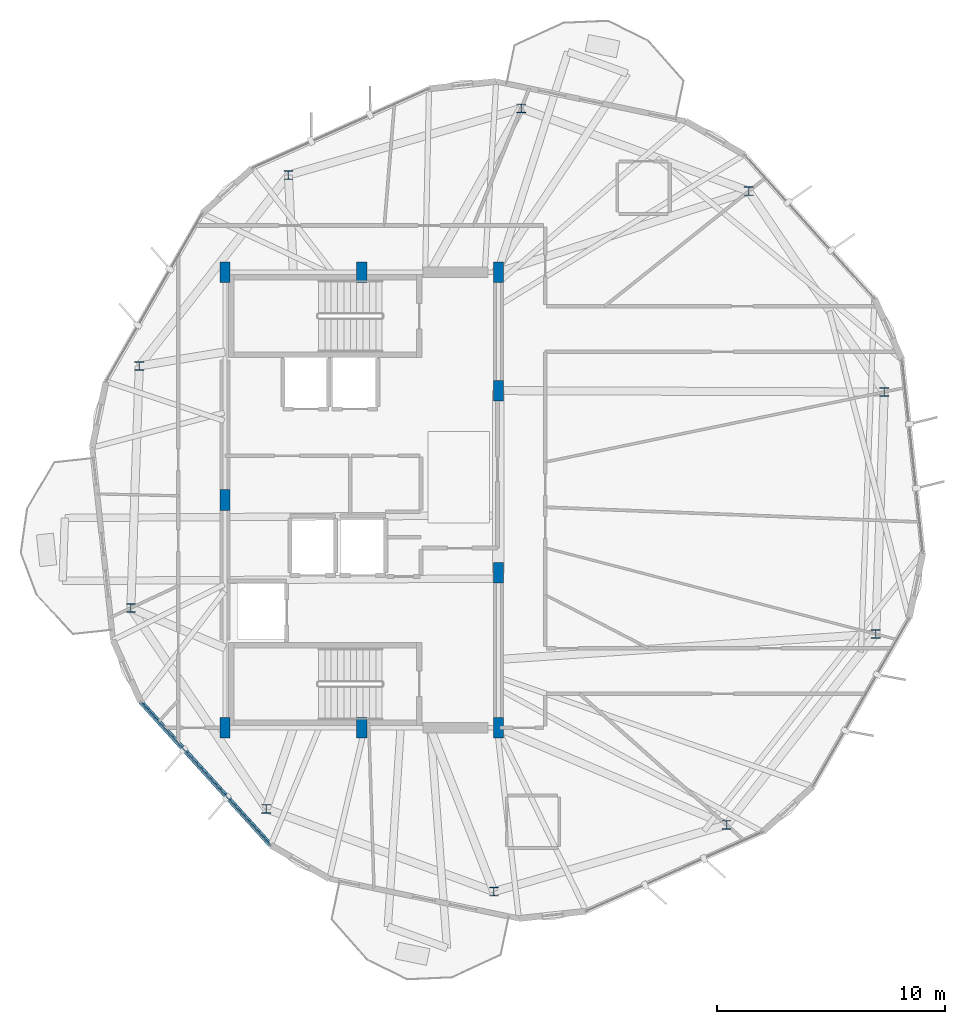
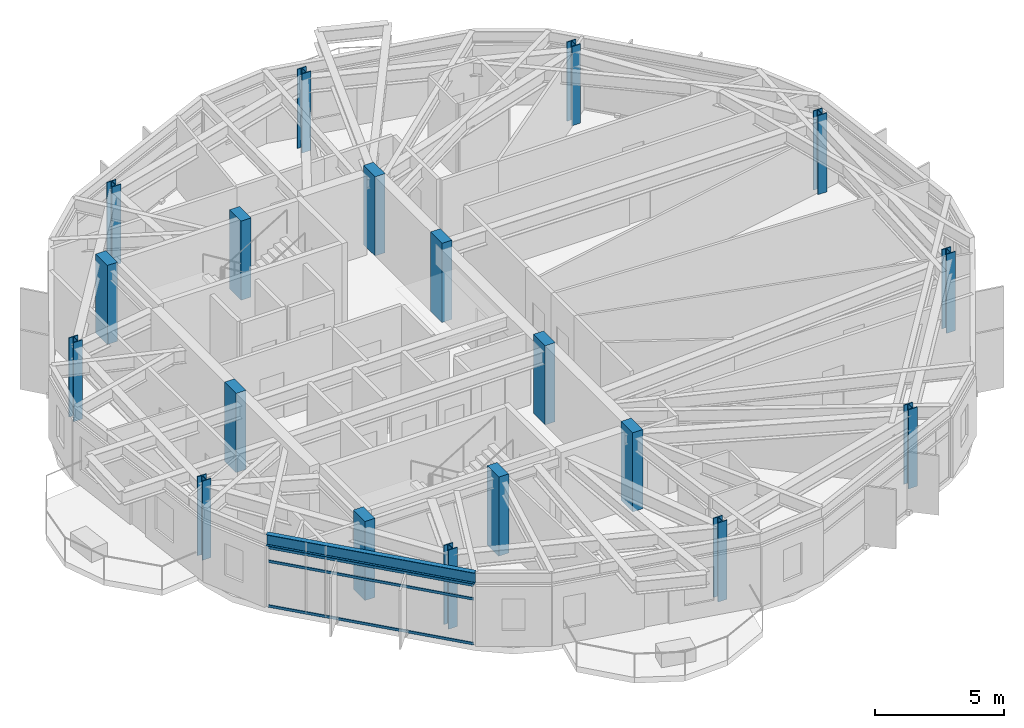
# One storey, part 1 of 23: 19 columns, 3 members, 1 beam, 1 element without a shape of its own.
"""IFC4 building model written with IfcOpenShell, lengths in metres."""

from ifc_helpers import new_model, si_unit, direction, frame, origin, origin_2d, place, context, subcontext, project, spatial, rectangle, hollow_rectangle, i_section, extrude, material, layer, layer_set, material_profile, profile_set, type_object, element, aggregate, save


model = new_model("IFC4")

# Units and contexts
model_context = context("Model", 3, precision=1e-05, world=origin(), true_north=direction((0.0, 1.0)))
body_context = subcontext(model_context, "Body", "Model", "MODEL_VIEW")
ifc_project = project(units=[si_unit("LENGTHUNIT", "METRE"), si_unit("AREAUNIT", "SQUARE_METRE"), si_unit("VOLUMEUNIT", "CUBIC_METRE"), si_unit("PLANEANGLEUNIT", "RADIAN"), si_unit("MASSUNIT", "GRAM", prefix="KILO")], contexts=[model_context])

# Site, building, storey
site_placement = place(None, origin())
site = spatial("IfcSite", under=ifc_project, at=site_placement, CompositionType="ELEMENT")
building_placement = place(site_placement, origin())
building = spatial("IfcBuilding", under=site, at=building_placement, Name="Soratama Intermodal Tower", CompositionType="ELEMENT")
storey_placement = place(building_placement, frame((0.0, 0.0, 253.75)))
storey = spatial("IfcBuildingStorey", under=building, at=storey_placement, Name="L64", CompositionType="ELEMENT", Elevation=253.75)

# Columns
ifc_material_1 = material(Name="Structural steel ASTM A992 Grade 50", Category="steel")
ifc_material_profile_1 = material_profile(ifc_material_1, i_section(OverallWidth=0.40087890625, OverallDepth=0.39892578125, WebThickness=0.02490234375, FlangeThickness=0.03955078125, FilletRadius=0.0380859375, at=origin_2d()), Name="W14X211")
ifc_profile_set_1 = profile_set([ifc_material_profile_1], Name="Structural steel ASTM A992 Grade 50")
column_type_1 = type_object("IfcColumnType", Name="COL-ZE-W14X211", PredefinedType="COLUMN", material=ifc_profile_set_1)
for number, where, z_axis, x_axis, name in (
    (1, (61.53369140625, 29.740966796875, 0.0), (0.0, 0.0, 1.0), (1.0, 0.0, 0.0), "L64 Tower Ring Column R01"),
    (2, (55.58935546875, 38.5537109375, 0.0), (0.0, 0.0, 1.0), (1.0, 0.0, 0.0), "L64 Tower Ring Column R02"),
    (3, (45.600341796875, 42.189453125, 0.0), (0.0, 0.0, 1.0), (1.0, 0.0, 0.0), "L64 Tower Ring Column R03"),
    (4, (35.3818359375, 39.259521484375, 0.0), (0.0, 0.0, 1.0), (1.0, 0.0, 0.0), "L64 Tower Ring Column R04"),
    (5, (28.83740234375, 30.8828125, 0.0), (0.0, 0.0, 1.0), (1.0, 0.0, 0.0), "L64 Tower Ring Column R05"),
    (6, (28.46630859375, 20.259033203125, 0.0), (0.0, 0.0, 1.0), (1.0, 0.0, 0.0), "L64 Tower Ring Column R06"),
    (7, (34.41064453125, 11.4462890625, 0.0), (0.0, 0.0, 1.0), (1.0, 0.0, 0.0), "L64 Tower Ring Column R07"),
    (8, (44.399658203125, 7.810546875, 0.0), (0.0, 0.0, 1.0), (1.0, 0.0, 0.0), "L64 Tower Ring Column R08"),
    (9, (54.6181640625, 10.740478515625, 0.0), (0.0, 0.0, 1.0), (1.0, 0.0, 0.0), "L64 Tower Ring Column R09"),
    (10, (61.16259765625, 19.1171875, 0.0), (0.0, 0.0, 1.0), (1.0, 0.0, 0.0), "L64 Tower Ring Column R10"),
):
    element("IfcColumn", number, at=place(storey_placement, frame(where, z_axis=z_axis, x_axis=x_axis)), inside=storey, type_object=column_type_1, Name=name, PredefinedType="COLUMN", context=body_context, shape_type="SweptSolid", body=[
        extrude(i_section(OverallWidth=0.40087890625, OverallDepth=0.39892578125, WebThickness=0.02490234375, FlangeThickness=0.03955078125, FilletRadius=0.0380859375, at=origin_2d()), origin(), (0.0, 0.0, 1.0), 3.75),
    ])
ifc_material_2 = material(Name="Concrete f'c 56 MPa", Category="concrete")
ifc_material_profile_2 = material_profile(ifc_material_2, rectangle(XDim=0.449951171875, YDim=0.89990234375, at=origin_2d()), Name="RC450X900")
ifc_profile_set_2 = profile_set([ifc_material_profile_2], Name="Concrete f'c 56 MPa")
column_type_2 = type_object("IfcColumnType", Name="PIL-CORE-450X900", PredefinedType="PILASTER", material=ifc_profile_set_2)
for number, where, z_axis, x_axis, name in (
    (11, (32.60009765625, 15.0, 0.0), (0.0, 0.0, 1.0), (1.0, 0.0, 0.0), "L64 Core Pilaster 1"),
    (12, (32.60009765625, 25.0, 0.0), (0.0, 0.0, 1.0), (1.0, 0.0, 0.0), "L64 Core Pilaster 2"),
    (13, (32.60009765625, 35.0, 0.0), (0.0, 0.0, 1.0), (1.0, 0.0, 0.0), "L64 Core Pilaster 3"),
    (14, (38.60009765625, 15.0, 0.0), (0.0, 0.0, 1.0), (1.0, 0.0, 0.0), "L64 Core Pilaster 4"),
    (15, (38.60009765625, 35.0, 0.0), (0.0, 0.0, 1.0), (1.0, 0.0, 0.0), "L64 Core Pilaster 5"),
    (16, (44.60009765625, 15.0, 0.0), (0.0, 0.0, 1.0), (1.0, 0.0, 0.0), "L64 Core Pilaster 6"),
    (17, (44.60009765625, 21.800048828125, 0.0), (0.0, 0.0, 1.0), (1.0, 0.0, 0.0), "L64 Core Pilaster 7"),
    (18, (44.60009765625, 29.800048828125, 0.0), (0.0, 0.0, 1.0), (1.0, 0.0, 0.0), "L64 Core Pilaster 8"),
    (19, (44.60009765625, 35.0, 0.0), (0.0, 0.0, 1.0), (1.0, 0.0, 0.0), "L64 Core Pilaster 9"),
):
    element("IfcColumn", number, at=place(storey_placement, frame(where, z_axis=z_axis, x_axis=x_axis)), inside=storey, type_object=column_type_2, Name=name, PredefinedType="PILASTER", context=body_context, shape_type="SweptSolid", body=[
        extrude(rectangle(XDim=0.449951171875, YDim=0.89990234375, at=origin_2d()), origin(), (0.0, 0.0, 1.0), 3.75),
    ])

# Beam
ifc_material_3 = material(Name="Structural steel ASTM A992 Grade 50", Category="steel")
ifc_material_profile_3 = material_profile(ifc_material_3, i_section(OverallWidth=0.2099609375, OverallDepth=0.537109375, WebThickness=0.010986328125, FlangeThickness=0.017333984375, FilletRadius=0.012939453125, at=origin_2d()), Name="W21X68")
ifc_profile_set_3 = profile_set([ifc_material_profile_3], Name="Structural steel ASTM A992 Grade 50")
beam_type = type_object("IfcBeamType", Name="BM-SPN-W21X68", PredefinedType="SPANDREL", material=ifc_profile_set_3)
beam_placement = place(storey_placement, frame((28.89697265625, 16.14404296875, 3.181396484375), z_axis=(0.671422331557, -0.741074930548, 0.0), x_axis=(0.741074930548, 0.671422331557, 0.0)))
element("IfcBeam", 20, at=beam_placement, inside=storey, type_object=beam_type, Name="BS-L64-F05", PredefinedType="SPANDREL", context=body_context, shape_type="SweptSolid", body=[
    extrude(i_section(OverallWidth=0.2099609375, OverallDepth=0.537109375, WebThickness=0.010986328125, FlangeThickness=0.017333984375, FilletRadius=0.012939453125, at=origin_2d()), origin(), (0.0, 0.0, 1.0), 8.5),
])

# Curtain wall, members
ifc_material_4 = material(Name="Double-glazed aluminium curtain wall", Category="aluminium")
ifc_layer = layer(ifc_material_4, 0.159912109375)
ifc_layer_set = layer_set([ifc_layer], Name="Double-glazed aluminium curtain wall")
curtain_wall_type = type_object("IfcCurtainWallType", Name="CW-SYS-5", PredefinedType="NOTDEFINED", material=ifc_layer_set)
curtain_wall_placement = place(storey_placement, origin())
curtain_wall = element("IfcCurtainWall", 21, at=curtain_wall_placement, inside=storey, type_object=curtain_wall_type, Name="L64 Faceted Curtain Wall F05", PredefinedType="NOTDEFINED")
ifc_material_5 = material(Name="Anodised aluminium AA 6063-T6", Category="aluminium")
ifc_material_profile_4 = material_profile(ifc_material_5, hollow_rectangle(XDim=0.06005859375, YDim=0.1298828125, WallThickness=0.0048828125, InnerFilletRadius=0.0048828125, OuterFilletRadius=0.010009765625, at=origin_2d()), Name="CWT130X60X5")
ifc_profile_set_4 = profile_set([ifc_material_profile_4], Name="Anodised aluminium AA 6063-T6")
member_type = type_object("IfcMemberType", Name="TT-CWT-2", PredefinedType="USERDEFINED", material=ifc_profile_set_4)
member_1_placement = place(storey_placement, frame((28.93701171875, 16.09912109375, 0.030029296875), z_axis=(0.671463934429, -0.741037235745, 0.0), x_axis=(0.741037235745, 0.671463934429, 0.0)))
member_1 = element("IfcMember", 22, at=member_1_placement, type_object=member_type, Name="CW-5 transom 1.1", ObjectType="TRANSOM", PredefinedType="USERDEFINED", context=body_context, shape_type="SweptSolid", body=[
    extrude(hollow_rectangle(XDim=0.06005859375, YDim=0.1298828125, WallThickness=0.0048828125, InnerFilletRadius=0.0048828125, OuterFilletRadius=0.010009765625, at=origin_2d()), origin(), (0.0, 0.0, 1.0), 8.3798828125),
])
member_2_placement = place(storey_placement, frame((28.93701171875, 16.09912109375, 2.14990234375), z_axis=(0.671463934429, -0.741037235745, 0.0), x_axis=(0.741037235745, 0.671463934429, 0.0)))
member_2 = element("IfcMember", 23, at=member_2_placement, type_object=member_type, Name="CW-5 transom 1.2", ObjectType="TRANSOM", PredefinedType="USERDEFINED", context=body_context, shape_type="SweptSolid", body=[
    extrude(hollow_rectangle(XDim=0.06005859375, YDim=0.1298828125, WallThickness=0.0048828125, InnerFilletRadius=0.0048828125, OuterFilletRadius=0.010009765625, at=origin_2d()), origin(), (0.0, 0.0, 1.0), 8.3798828125),
])
member_3_placement = place(storey_placement, frame((28.93701171875, 16.09912109375, 2.799072265625), z_axis=(0.671463934429, -0.741037235745, 0.0), x_axis=(0.741037235745, 0.671463934429, 0.0)))
member_3 = element("IfcMember", 24, at=member_3_placement, type_object=member_type, Name="CW-5 transom 1.3", ObjectType="TRANSOM", PredefinedType="USERDEFINED", context=body_context, shape_type="SweptSolid", body=[
    extrude(hollow_rectangle(XDim=0.06005859375, YDim=0.1298828125, WallThickness=0.0048828125, InnerFilletRadius=0.0048828125, OuterFilletRadius=0.010009765625, at=origin_2d()), origin(), (0.0, 0.0, 1.0), 8.3798828125),
])
aggregate(curtain_wall, [member_1, member_2, member_3])

save(model, "model.ifc")
